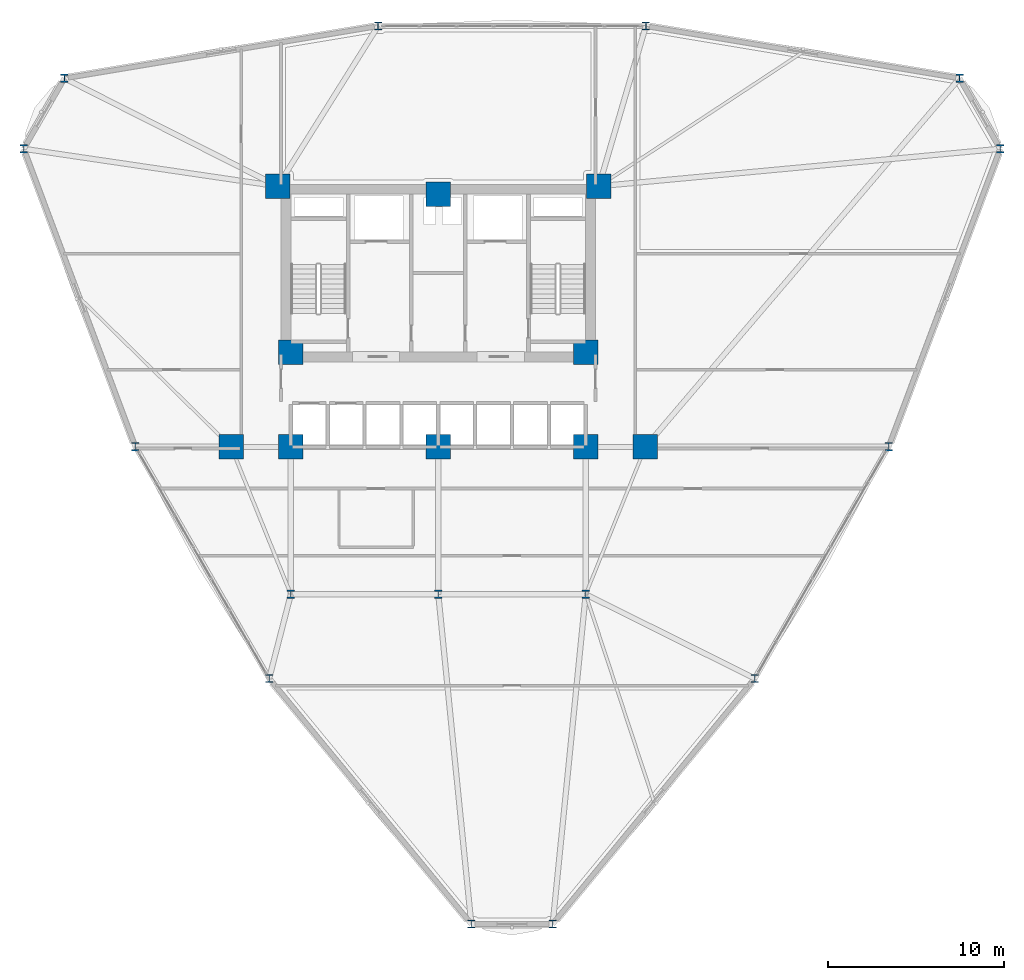
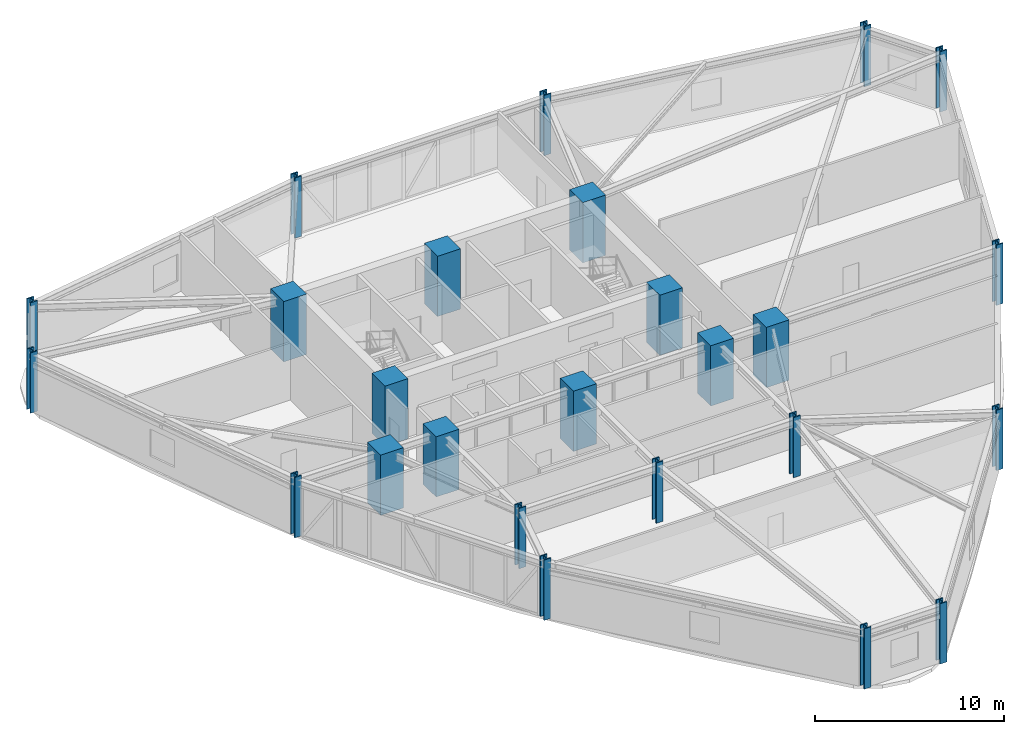
# One storey, part 1 of 20: 25 columns.
"""IFC4 building model written with IfcOpenShell, lengths in metres."""

import ifcopenshell
import ifcopenshell.guid

model = None  # the IFC model being written
_history = None  # IfcOwnerHistory: only IFC2X3 demands one
_inside = {}  # id of a spatial element -> (the spatial element, [elements in it])
_under = {}  # id of a project, library or spatial element -> (it, [spatial elements below it])
_declared = {}  # id of a project -> (the project, [libraries it declares])
_typed = {}  # id of a type object -> (the type object, [elements of that type])
_made_of = {}  # id of a material, layer set ... -> (it, [elements and type objects made of it])


def new_model(schema):
    """Start an empty IFC model of exactly this schema.

    Asked for "IFC4X3", IfcOpenShell would pick the latest addendum, in which some entities
    have other attributes; the version numbers below select the first issue.
    IFC2X3 requires an IfcOwnerHistory on every rooted entity: one is made here for all.
    """
    global model, _history
    if schema == "IFC4X3":
        model = ifcopenshell.file(schema_version=(4, 3, 0, 0))
    else:
        model = ifcopenshell.file(schema=schema)
    _inside.clear()
    _under.clear()
    _declared.clear()
    _typed.clear()
    _made_of.clear()
    _history = None
    if model.schema == "IFC2X3":
        org = make("IfcOrganization", Name="unknown")
        user = make(
            "IfcPersonAndOrganization",
            ThePerson=make("IfcPerson", FamilyName="unknown"),
            TheOrganization=org,
        )
        app = make(
            "IfcApplication",
            ApplicationDeveloper=org,
            Version="unknown",
            ApplicationFullName="unknown",
            ApplicationIdentifier="unknown",
        )
        _history = make(
            "IfcOwnerHistory",
            OwningUser=user,
            OwningApplication=app,
            ChangeAction="ADDED",
            CreationDate=0,
        )
    return model


def make(cls, **values):
    """One entity of the class cls with the attributes given. An attribute that is None is left unset."""
    return model.create_entity(
        cls, **{name: value for name, value in values.items() if value is not None}
    )


def rooted(cls, **values):
    """An entity with a GlobalId (a new one), such as an element, a storey or a relation."""
    return make(cls, GlobalId=ifcopenshell.guid.new(), OwnerHistory=_history, **values)


def si_unit(unit_type, name, prefix=None):
    """IfcSIUnit, for example si_unit("LENGTHUNIT", "METRE", prefix="MILLI")."""
    return make("IfcSIUnit", UnitType=unit_type, Prefix=prefix, Name=name)


def derived_unit(unit_type, elements):
    """IfcDerivedUnit: a product of units, each with its exponent."""
    return make(
        "IfcDerivedUnit",
        Elements=[
            make("IfcDerivedUnitElement", Unit=unit, Exponent=power)
            for unit, power in elements
        ],
        UnitType=unit_type,
    )


def assignment(units):
    """IfcUnitAssignment: the units of a project."""
    return None if units is None else make("IfcUnitAssignment", Units=units)


def point(xyz):
    """IfcCartesianPoint."""
    return None if xyz is None else make("IfcCartesianPoint", Coordinates=xyz)


def direction(xyz):
    """IfcDirection."""
    return None if xyz is None else make("IfcDirection", DirectionRatios=xyz)


def frame(location, z_axis=None, x_axis=None):
    """IfcAxis2Placement3D, a coordinate frame: its origin and axes. An axis left out is left unset."""
    return make(
        "IfcAxis2Placement3D",
        Location=point(location),
        Axis=direction(z_axis),
        RefDirection=direction(x_axis),
    )


def frame_2d(location, x_axis=None):
    """IfcAxis2Placement2D, a coordinate frame in the plane: its origin and x axis."""
    return make(
        "IfcAxis2Placement2D", Location=point(location), RefDirection=direction(x_axis)
    )


def origin():
    """The frame at (0, 0, 0) with its axes left unset."""
    return frame((0.0, 0.0, 0.0))


def origin_2d():
    """The frame at (0, 0) in the plane with its x axis left unset."""
    return frame_2d((0.0, 0.0))


def place(relative_to, where):
    """IfcLocalPlacement: puts the frame where relative to a parent placement (None: the world)."""
    return make(
        "IfcLocalPlacement", PlacementRelTo=relative_to, RelativePlacement=where
    )


def context(
    kind, dimensions, precision=None, world=None, true_north=None, identifier=None
):
    """IfcGeometricRepresentationContext, for example the 3D "Model" context."""
    return make(
        "IfcGeometricRepresentationContext",
        ContextIdentifier=identifier,
        ContextType=kind,
        CoordinateSpaceDimension=dimensions,
        Precision=precision,
        WorldCoordinateSystem=world,
        TrueNorth=true_north,
    )


def subcontext(parent, identifier, kind, view, scale=None):
    """IfcGeometricRepresentationSubContext, for example "Body" below "Model"."""
    return make(
        "IfcGeometricRepresentationSubContext",
        ContextIdentifier=identifier,
        ContextType=kind,
        ParentContext=parent,
        TargetScale=scale,
        TargetView=view,
    )


def project(units=None, contexts=None):
    """IfcProject with its units and contexts."""
    return rooted(
        "IfcProject",
        Name="project",
        RepresentationContexts=contexts,
        UnitsInContext=assignment(units),
    )


def spatial(cls, under=None, at=None, **own):
    """A site, building, storey or space (cls), placed at a placement, below another one or the project."""
    s = rooted(cls, ObjectPlacement=at, **own)
    if under is not None:
        _under.setdefault(under.id(), (under, []))[1].append(s)
    return s


def profile(cls, at=None, kind="AREA", **sizes):
    """A parametric profile (cls). Its sizes go by their IFC names, for example OverallWidth=200.0."""
    return make(cls, ProfileType=kind, Position=at, **sizes)


def rectangle(**sizes):
    """IfcRectangleProfileDef."""
    return profile("IfcRectangleProfileDef", **sizes)


def i_section(**sizes):
    """IfcIShapeProfileDef."""
    return profile("IfcIShapeProfileDef", **sizes)


def extrude(swept, where, along, depth):
    """IfcExtrudedAreaSolid: the profile swept, set in the frame where, extruded along a direction by depth."""
    return make(
        "IfcExtrudedAreaSolid",
        SweptArea=swept,
        Position=where,
        ExtrudedDirection=direction(along),
        Depth=depth,
    )


def shape(context_of_items, identifier, shape_type, items):
    """IfcShapeRepresentation: the items that make up one representation, for example the "Body"."""
    return make(
        "IfcShapeRepresentation",
        ContextOfItems=context_of_items,
        RepresentationIdentifier=identifier,
        RepresentationType=shape_type,
        Items=items,
    )


def source(mapping_origin, context_of_items, identifier, shape_type, items):
    """IfcRepresentationMap: a shape defined once, which mapped items show again and again."""
    return make(
        "IfcRepresentationMap",
        MappingOrigin=mapping_origin,
        MappedRepresentation=shape(context_of_items, identifier, shape_type, items),
    )


def transform(
    local_origin,
    x_axis=None,
    y_axis=None,
    z_axis=None,
    scale=None,
    scale2=None,
    scale3=None,
    uniform=True,
):
    """IfcCartesianTransformationOperator3D, or its non-uniform kind. x_axis, y_axis, z_axis: its Axis1, 2, 3."""
    if uniform:
        return make(
            "IfcCartesianTransformationOperator3D",
            Axis1=direction(x_axis),
            Axis2=direction(y_axis),
            LocalOrigin=point(local_origin),
            Scale=scale,
            Axis3=direction(z_axis),
        )
    return make(
        "IfcCartesianTransformationOperator3DnonUniform",
        Axis1=direction(x_axis),
        Axis2=direction(y_axis),
        LocalOrigin=point(local_origin),
        Scale=scale,
        Axis3=direction(z_axis),
        Scale2=scale2,
        Scale3=scale3,
    )


def mapped(mapping_source, mapping_target):
    """IfcMappedItem: shows the shape of a source again, moved by a transform."""
    return make(
        "IfcMappedItem", MappingSource=mapping_source, MappingTarget=mapping_target
    )


def material(Name=None, Category=None):
    """IfcMaterial."""
    return make("IfcMaterial", Name=Name, Category=Category)


def material_profile(
    of_material, cross_section, Name=None, Category=None, Priority=None
):
    """IfcMaterialProfile: a cross section and its material."""
    return make(
        "IfcMaterialProfile",
        Name=Name,
        Material=of_material,
        Profile=cross_section,
        Priority=Priority,
        Category=Category,
    )


def profile_set(profiles, Name=None, composite=None):
    """IfcMaterialProfileSet."""
    return make(
        "IfcMaterialProfileSet",
        Name=Name,
        MaterialProfiles=profiles,
        CompositeProfile=composite,
    )


def made_of(thing, what):
    """Note that an element or type object is made of a material, layer set ...; save() writes the relation."""
    if what is not None:
        _made_of.setdefault(what.id(), (what, []))[1].append(thing)
    return thing


def type_object(cls, material=None, **own):
    """A type object (cls), such as IfcWallType, which elements share."""
    return made_of(rooted(cls, **own), material)


def element(
    cls,
    number,
    at=None,
    inside=None,
    cuts=None,
    type_object=None,
    material=None,
    context=None,
    identifier="Body",
    shape_type=None,
    held_by="IfcProductDefinitionShape",
    body=None,
    shapes=None,
    **own,
):
    """One element of the class cls, such as IfcWall. Its Tag is "e" and its number.

    at: its placement. inside: the storey or other place that contains it. cuts: it is an
    opening in that element (IfcRelVoidsElement). A single representation is given by context,
    identifier, shape_type and body (its items); several are given by shapes. held_by: the class
    of the entity that holds the representations. save() writes the other relations.
    """
    e = rooted(cls, Tag="e%d" % number, ObjectPlacement=at, **own)
    if body is not None:
        shapes = [shape(context, identifier, shape_type, body)]
    if shapes is not None:
        e.Representation = make(held_by, Representations=shapes)
    if inside is not None:
        _inside.setdefault(inside.id(), (inside, []))[1].append(e)
    if cuts is not None:
        rooted(
            "IfcRelVoidsElement", RelatingBuildingElement=cuts, RelatedOpeningElement=e
        )
    if type_object is not None:
        _typed.setdefault(type_object.id(), (type_object, []))[1].append(e)
    return made_of(e, material)


def aggregate(whole, parts):
    """IfcRelAggregates: a whole, such as a stair, and the parts it consists of."""
    return rooted("IfcRelAggregates", RelatingObject=whole, RelatedObjects=parts)


def save(model, path):
    """Write the relations noted so far, then the file.

    IfcRelAggregates (storeys below a building ...), IfcRelContainedInSpatialStructure (elements
    in a storey), IfcRelDefinesByType, IfcRelAssociatesMaterial and IfcRelDeclares: one each for
    every whole, place, type object, material and project.
    """
    for whole, parts in _under.values():
        aggregate(whole, parts)
    for where, things in _inside.values():
        rooted(
            "IfcRelContainedInSpatialStructure",
            RelatedElements=things,
            RelatingStructure=where,
        )
    for kind, things in _typed.values():
        rooted("IfcRelDefinesByType", RelatedObjects=things, RelatingType=kind)
    for what, things in _made_of.values():
        rooted("IfcRelAssociatesMaterial", RelatedObjects=things, RelatingMaterial=what)
    for by, libraries in _declared.values():
        rooted("IfcRelDeclares", RelatingContext=by, RelatedDefinitions=libraries)
    model.write(path)


model = new_model("IFC4")

# Units and contexts
model_context = context("Model", 3, precision=1e-05, world=origin(), true_north=direction((0.0, 1.0)))
body_context = subcontext(model_context, "Body", "Model", "MODEL_VIEW")
ifc_project = project(units=[si_unit("LENGTHUNIT", "METRE"), si_unit("AREAUNIT", "SQUARE_METRE"), si_unit("VOLUMEUNIT", "CUBIC_METRE"), si_unit("PLANEANGLEUNIT", "RADIAN"), si_unit("MASSUNIT", "GRAM", prefix="KILO"), derived_unit("THERMALTRANSMITTANCEUNIT", [(si_unit("POWERUNIT", "WATT"), 1), (si_unit("LENGTHUNIT", "METRE"), -2), (si_unit("THERMODYNAMICTEMPERATUREUNIT", "KELVIN"), -1)])], contexts=[model_context])

# Site, building, storey
site_placement = place(None, origin())
site = spatial("IfcSite", under=ifc_project, at=site_placement, CompositionType="ELEMENT")
building_placement = place(site_placement, origin())
building = spatial("IfcBuilding", under=site, at=building_placement, Name="Korsvarv Bourse and Concert Hall", CompositionType="ELEMENT")
storey_placement = place(building_placement, frame((0.0, 0.0, 67.800048828125)))
storey = spatial("IfcBuildingStorey", under=building, at=storey_placement, Name="L16", CompositionType="ELEMENT", Elevation=67.800048828125)

# Columns
ifc_material_1 = material(Name="Concrete C60/75", Category="concrete")
ifc_material_profile_1 = material_profile(ifc_material_1, rectangle(XDim=1.39990234375, YDim=1.39990234375, at=origin_2d()), Name="RC 1400x1400")
ifc_profile_set_1 = profile_set([ifc_material_profile_1], Name="Concrete C60/75")
column_type_1 = type_object("IfcColumnType", Name="COL-RC1400", PredefinedType="COLUMN", material=ifc_profile_set_1)
shared_shape_1 = source(origin(), body_context, "Body", "SweptSolid", [
    extrude(rectangle(XDim=1.39990234375, YDim=1.39990234375, at=origin_2d()), origin(), (0.0, 0.0, 1.0), 3.89990234375),
])
for number, where, z_axis, x_axis, name in (
    (1, (26.85009765625, 47.25, 0.0), (0.0, 0.0, 1.0), (1.0, 0.0, 0.0), "L16 column C-01"),
    (2, (45.14990234375, 47.25, 0.0), (0.0, 0.0, 1.0), (1.0, 0.0, 0.0), "L16 column C-01"),
    (3, (27.60009765625, 37.800048828125, 0.0), (0.0, 0.0, 1.0), (1.0, 0.0, 0.0), "L16 column C-01"),
    (4, (44.39990234375, 37.800048828125, 0.0), (0.0, 0.0, 1.0), (1.0, 0.0, 0.0), "L16 column C-01"),
    (5, (27.60009765625, 32.39990234375, 0.0), (0.0, 0.0, 1.0), (1.0, 0.0, 0.0), "L16 column C-01"),
    (6, (44.39990234375, 32.39990234375, 0.0), (0.0, 0.0, 1.0), (1.0, 0.0, 0.0), "L16 column C-01"),
    (7, (36.0, 46.800048828125, 0.0), (0.0, 0.0, 1.0), (1.0, 0.0, 0.0), "L16 column C-01"),
    (8, (36.0, 32.39990234375, 0.0), (0.0, 0.0, 1.0), (1.0, 0.0, 0.0), "L16 column C-01"),
    (9, (24.199951171875, 32.39990234375, 0.0), (0.0, 0.0, 1.0), (1.0, 0.0, 0.0), "L16 column C-01"),
    (10, (47.800048828125, 32.39990234375, 0.0), (0.0, 0.0, 1.0), (1.0, 0.0, 0.0), "L16 column C-01"),
):
    element("IfcColumn", number, at=place(storey_placement, frame(where, z_axis=z_axis, x_axis=x_axis)), inside=storey, type_object=column_type_1, Name=name, PredefinedType="COLUMN", context=body_context, shape_type="MappedRepresentation", body=[
        mapped(shared_shape_1, transform((0.0, 0.0, 0.0), scale=1.0)),
    ])
ifc_material_2 = material(Name="Steel S460", Category="steel")
ifc_material_profile_2 = material_profile(ifc_material_2, i_section(OverallWidth=0.424072265625, OverallDepth=0.47412109375, WebThickness=0.044921875, FlangeThickness=0.072021484375, FilletRadius=0.014892578125, at=origin_2d()), Name="HD 400x634")
ifc_profile_set_2 = profile_set([ifc_material_profile_2], Name="Steel S460")
column_type_2 = type_object("IfcColumnType", Name="COL-HD634", PredefinedType="COLUMN", material=ifc_profile_set_2)
shared_shape_2 = source(origin(), body_context, "Body", "SweptSolid", [
    extrude(i_section(OverallWidth=0.424072265625, OverallDepth=0.47412109375, WebThickness=0.044921875, FlangeThickness=0.072021484375, FilletRadius=0.014892578125, at=origin_2d()), origin(), (0.0, 0.0, 1.0), 3.89990234375),
])
for number, where, z_axis, x_axis, name in (
    (11, (27.60009765625, 24.0, 0.0), (0.0, 0.0, 1.0), (1.0, 0.0, 0.0), "L16 column C-07"),
    (12, (44.39990234375, 24.0, 0.0), (0.0, 0.0, 1.0), (1.0, 0.0, 0.0), "L16 column C-07"),
    (13, (36.0, 24.0, 0.0), (0.0, 0.0, 1.0), (1.0, 0.0, 0.0), "L16 column C-07"),
    (14, (68.0166015625, 49.382080078125, 0.0), (0.0, 0.0, 1.0), (1.0, 0.0, 0.0), "L16 column C-07"),
    (15, (65.69775390625, 53.398681640625, 0.0), (0.0, 0.0, 1.0), (1.0, 0.0, 0.0), "L16 column C-07"),
    (16, (47.82666015625, 56.376708984375, 0.0), (0.0, 0.0, 1.0), (1.0, 0.0, 0.0), "L16 column C-07"),
    (17, (32.5732421875, 56.376708984375, 0.0), (0.0, 0.0, 1.0), (1.0, 0.0, 0.0), "L16 column C-07"),
    (18, (14.702392578125, 53.398681640625, 0.0), (0.0, 0.0, 1.0), (1.0, 0.0, 0.0), "L16 column C-07"),
    (19, (12.38330078125, 49.382080078125, 0.0), (0.0, 0.0, 1.0), (1.0, 0.0, 0.0), "L16 column C-07"),
    (20, (18.73974609375, 32.41650390625, 0.0), (0.0, 0.0, 1.0), (1.0, 0.0, 0.0), "L16 column C-07"),
    (21, (26.36669921875, 19.206787109375, 0.0), (0.0, 0.0, 1.0), (1.0, 0.0, 0.0), "L16 column C-07"),
    (22, (37.881103515625, 5.218994140625, 0.0), (0.0, 0.0, 1.0), (1.0, 0.0, 0.0), "L16 column C-07"),
    (23, (42.51904296875, 5.218994140625, 0.0), (0.0, 0.0, 1.0), (1.0, 0.0, 0.0), "L16 column C-07"),
    (24, (54.033447265625, 19.206787109375, 0.0), (0.0, 0.0, 1.0), (1.0, 0.0, 0.0), "L16 column C-07"),
    (25, (61.66015625, 32.41650390625, 0.0), (0.0, 0.0, 1.0), (1.0, 0.0, 0.0), "L16 column C-07"),
):
    element("IfcColumn", number, at=place(storey_placement, frame(where, z_axis=z_axis, x_axis=x_axis)), inside=storey, type_object=column_type_2, Name=name, PredefinedType="COLUMN", context=body_context, shape_type="MappedRepresentation", body=[
        mapped(shared_shape_2, transform((0.0, 0.0, 0.0), scale=1.0)),
    ])

save(model, "model.ifc")
